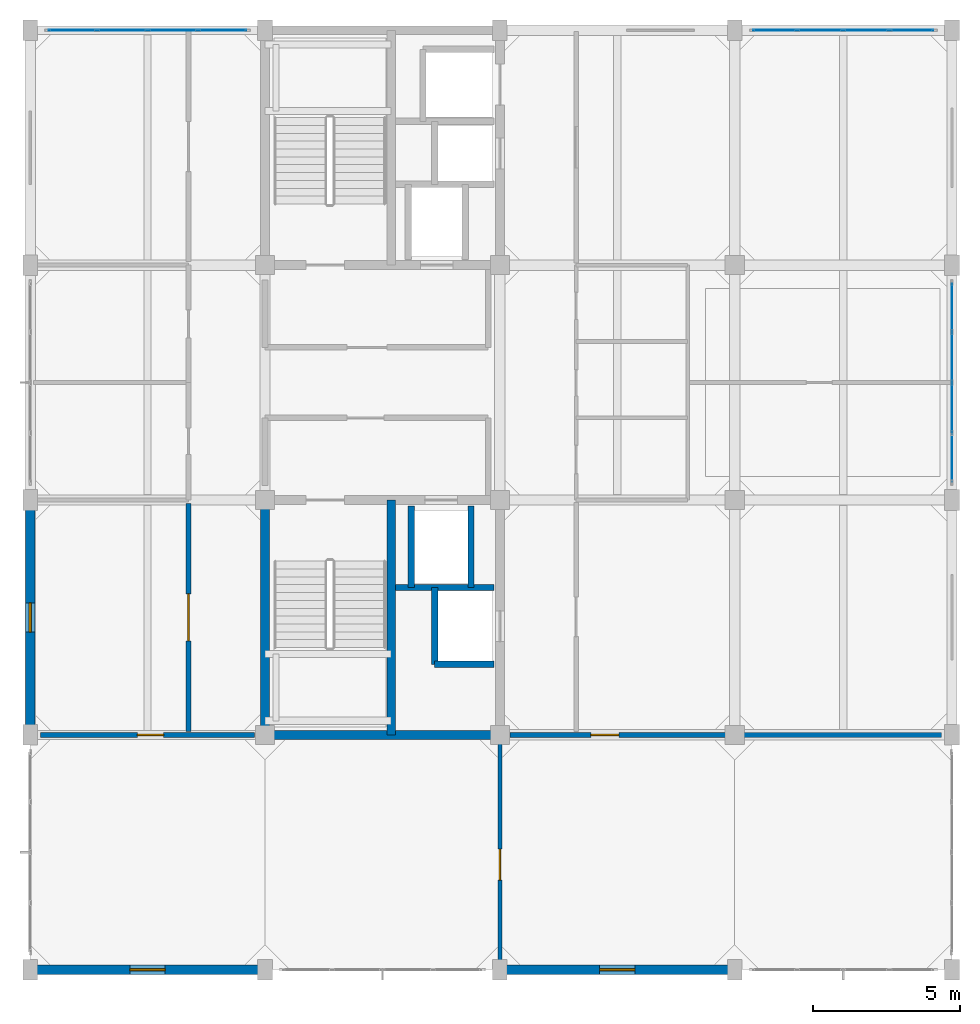
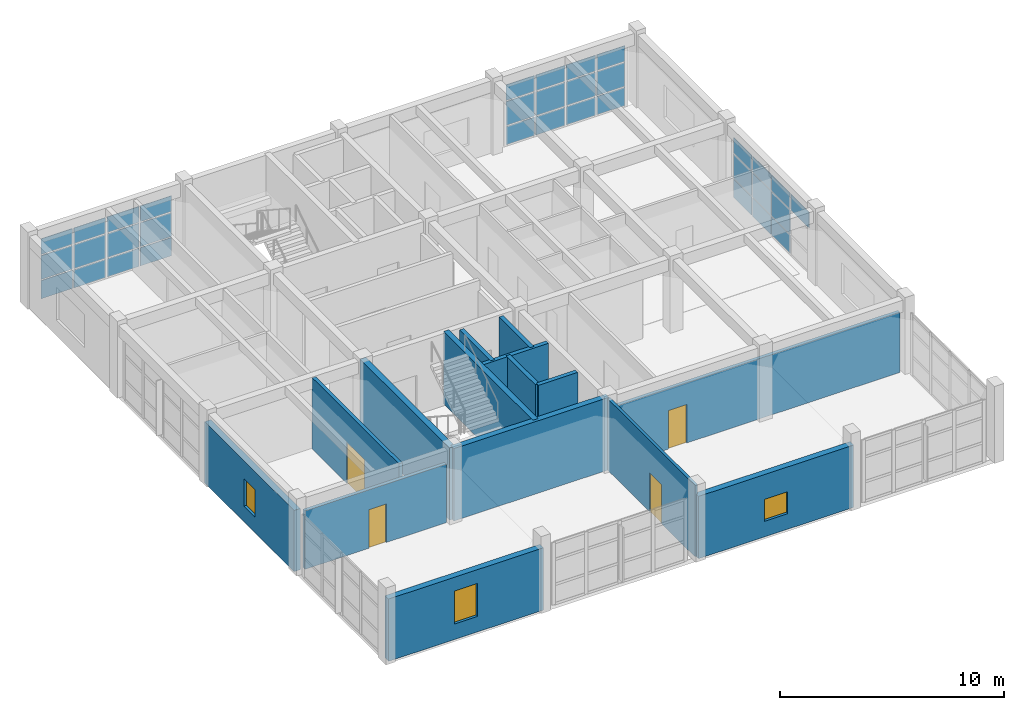
# One storey, part 14 of 18: 34 plates, 15 walls, 4 doors, 3 windows, 7 openings, 3 elements without a shape of their own.
"""IFC4 building model written with IfcOpenShell, lengths in metres."""

from ifc_helpers import new_model, si_unit, direction, frame, frame_2d, origin, origin_2d, place, context, subcontext, project, spatial, rectangle, extrude, material, layer, layer_set, type_object, element, fill, aggregate, save


model = new_model("IFC4")

# Units and contexts
model_context = context("Model", 3, precision=1e-05, world=origin(), true_north=direction((0.0, 1.0)))
body_context = subcontext(model_context, "Body", "Model", "MODEL_VIEW")
ifc_project = project(units=[si_unit("LENGTHUNIT", "METRE"), si_unit("AREAUNIT", "SQUARE_METRE"), si_unit("VOLUMEUNIT", "CUBIC_METRE"), si_unit("PLANEANGLEUNIT", "RADIAN"), si_unit("MASSUNIT", "GRAM", prefix="KILO")], contexts=[model_context])

# Site, building, storey
site_placement = place(None, origin())
site = spatial("IfcSite", under=ifc_project, at=site_placement, CompositionType="ELEMENT")
building_placement = place(site_placement, origin())
building = spatial("IfcBuilding", under=site, at=building_placement, Name="Canggui Botanical Conservatory", CompositionType="ELEMENT")
storey_placement = place(building_placement, frame((0.0, 0.0, 52.800048828125)))
storey = spatial("IfcBuildingStorey", under=building, at=storey_placement, Name="L13", CompositionType="ELEMENT", Elevation=52.800048828125)

# Curtain wall, plates
ifc_material_1 = material(Name="Thermally Broken Aluminium", Category="aluminium")
ifc_layer_1 = layer(ifc_material_1, 0.179931640625, Name="Thermally Broken Aluminium", Category="aluminium")
ifc_layer_set_1 = layer_set([ifc_layer_1], Name="Thermally Broken Aluminium")
curtain_wall_type = type_object("IfcCurtainWallType", Name="CW-UNIT-A", PredefinedType="USERDEFINED", material=ifc_layer_set_1)
curtain_wall_1_placement = place(storey_placement, origin())
curtain_wall_1 = element("IfcCurtainWall", 1, at=curtain_wall_1_placement, inside=storey, type_object=curtain_wall_type, Name="Facade Curtain Wall CW-TWR-L13-09", ObjectType="UNITISED CURTAIN WALL", PredefinedType="USERDEFINED")
ifc_material_2 = material(Name="Low-E Insulated Glass", Category="glass")
ifc_layer_2 = layer(ifc_material_2, 0.02587890625, Name="Low-E Insulated Glass", Category="glass")
ifc_layer_set_2 = layer_set([ifc_layer_2], Name="Low-E Insulated Glass")
plate_type = type_object("IfcPlateType", Name="CWP-01", PredefinedType="CURTAIN_PANEL", material=ifc_layer_set_2)
plate_1_placement = place(storey_placement, frame((147.4375, 66.0, 0.06494140625), z_axis=(0.0, 0.0, 1.0), x_axis=(1.0, 0.0, 0.0)))
plate_1 = element("IfcPlate", 2, at=plate_1_placement, type_object=plate_type, Name="CW-01 panel 1.1", PredefinedType="CURTAIN_PANEL", context=body_context, shape_type="SweptSolid", body=[
    extrude(rectangle(XDim=1.614990234375, YDim=0.02587890625, at=origin_2d()), origin(), (0.0, 0.0, 1.0), 0.990478515625),
])
plate_2_placement = place(storey_placement, frame((147.4375, 66.0, 1.12060546875), z_axis=(0.0, 0.0, 1.0), x_axis=(1.0, 0.0, 0.0)))
plate_2 = element("IfcPlate", 3, at=plate_2_placement, type_object=plate_type, Name="CW-01 panel 1.2", PredefinedType="CURTAIN_PANEL", context=body_context, shape_type="SweptSolid", body=[
    extrude(rectangle(XDim=1.614990234375, YDim=0.02587890625, at=origin_2d()), origin(), (0.0, 0.0, 1.0), 1.294921875),
])
plate_3_placement = place(storey_placement, frame((147.4375, 66.0, 2.48046875), z_axis=(0.0, 0.0, 1.0), x_axis=(1.0, 0.0, 0.0)))
plate_3 = element("IfcPlate", 4, at=plate_3_placement, type_object=plate_type, Name="CW-01 panel 1.3", PredefinedType="CURTAIN_PANEL", context=body_context, shape_type="SweptSolid", body=[
    extrude(rectangle(XDim=1.614990234375, YDim=0.02587890625, at=origin_2d()), origin(), (0.0, 0.0, 1.0), 0.8544921875),
])
plate_4_placement = place(storey_placement, frame((149.139892578125, 66.0, 0.06494140625), z_axis=(0.0, 0.0, 1.0), x_axis=(1.0, 0.0, 0.0)))
plate_4 = element("IfcPlate", 5, at=plate_4_placement, type_object=plate_type, Name="CW-01 panel 2.1", PredefinedType="CURTAIN_PANEL", context=body_context, shape_type="SweptSolid", body=[
    extrude(rectangle(XDim=1.64990234375, YDim=0.02587890625, at=origin_2d()), origin(), (0.0, 0.0, 1.0), 0.990478515625),
])
plate_5_placement = place(storey_placement, frame((149.139892578125, 66.0, 1.12060546875), z_axis=(0.0, 0.0, 1.0), x_axis=(1.0, 0.0, 0.0)))
plate_5 = element("IfcPlate", 6, at=plate_5_placement, type_object=plate_type, Name="CW-01 panel 2.2", PredefinedType="CURTAIN_PANEL", context=body_context, shape_type="SweptSolid", body=[
    extrude(rectangle(XDim=1.64990234375, YDim=0.02587890625, at=origin_2d()), origin(), (0.0, 0.0, 1.0), 1.294921875),
])
plate_6_placement = place(storey_placement, frame((149.139892578125, 66.0, 2.48046875), z_axis=(0.0, 0.0, 1.0), x_axis=(1.0, 0.0, 0.0)))
plate_6 = element("IfcPlate", 7, at=plate_6_placement, type_object=plate_type, Name="CW-01 panel 2.3", PredefinedType="CURTAIN_PANEL", context=body_context, shape_type="SweptSolid", body=[
    extrude(rectangle(XDim=1.64990234375, YDim=0.02587890625, at=origin_2d()), origin(), (0.0, 0.0, 1.0), 0.8544921875),
])
plate_7_placement = place(storey_placement, frame((150.860107421875, 66.0, 0.06494140625), z_axis=(0.0, 0.0, 1.0), x_axis=(1.0, 0.0, 0.0)))
plate_7 = element("IfcPlate", 8, at=plate_7_placement, type_object=plate_type, Name="CW-01 panel 3.1", PredefinedType="CURTAIN_PANEL", context=body_context, shape_type="SweptSolid", body=[
    extrude(rectangle(XDim=1.64990234375, YDim=0.02587890625, at=origin_2d()), origin(), (0.0, 0.0, 1.0), 0.990478515625),
])
plate_8_placement = place(storey_placement, frame((150.860107421875, 66.0, 1.12060546875), z_axis=(0.0, 0.0, 1.0), x_axis=(1.0, 0.0, 0.0)))
plate_8 = element("IfcPlate", 9, at=plate_8_placement, type_object=plate_type, Name="CW-01 panel 3.2", PredefinedType="CURTAIN_PANEL", context=body_context, shape_type="SweptSolid", body=[
    extrude(rectangle(XDim=1.64990234375, YDim=0.02587890625, at=origin_2d()), origin(), (0.0, 0.0, 1.0), 1.294921875),
])
plate_9_placement = place(storey_placement, frame((150.860107421875, 66.0, 2.48046875), z_axis=(0.0, 0.0, 1.0), x_axis=(1.0, 0.0, 0.0)))
plate_9 = element("IfcPlate", 10, at=plate_9_placement, type_object=plate_type, Name="CW-01 panel 3.3", PredefinedType="CURTAIN_PANEL", context=body_context, shape_type="SweptSolid", body=[
    extrude(rectangle(XDim=1.64990234375, YDim=0.02587890625, at=origin_2d()), origin(), (0.0, 0.0, 1.0), 0.8544921875),
])
plate_10_placement = place(storey_placement, frame((152.5625, 66.0, 0.06494140625), z_axis=(0.0, 0.0, 1.0), x_axis=(1.0, 0.0, 0.0)))
plate_10 = element("IfcPlate", 11, at=plate_10_placement, type_object=plate_type, Name="CW-01 panel 4.1", PredefinedType="CURTAIN_PANEL", context=body_context, shape_type="SweptSolid", body=[
    extrude(rectangle(XDim=1.614990234375, YDim=0.02587890625, at=origin_2d()), origin(), (0.0, 0.0, 1.0), 0.990478515625),
])
plate_11_placement = place(storey_placement, frame((152.5625, 66.0, 1.12060546875), z_axis=(0.0, 0.0, 1.0), x_axis=(1.0, 0.0, 0.0)))
plate_11 = element("IfcPlate", 12, at=plate_11_placement, type_object=plate_type, Name="CW-01 panel 4.2", PredefinedType="CURTAIN_PANEL", context=body_context, shape_type="SweptSolid", body=[
    extrude(rectangle(XDim=1.614990234375, YDim=0.02587890625, at=origin_2d()), origin(), (0.0, 0.0, 1.0), 1.294921875),
])
plate_12_placement = place(storey_placement, frame((152.5625, 66.0, 2.48046875), z_axis=(0.0, 0.0, 1.0), x_axis=(1.0, 0.0, 0.0)))
plate_12 = element("IfcPlate", 13, at=plate_12_placement, type_object=plate_type, Name="CW-01 panel 4.3", PredefinedType="CURTAIN_PANEL", context=body_context, shape_type="SweptSolid", body=[
    extrude(rectangle(XDim=1.614990234375, YDim=0.02587890625, at=origin_2d()), origin(), (0.0, 0.0, 1.0), 0.8544921875),
])
aggregate(curtain_wall_1, [plate_1, plate_2, plate_3, plate_4, plate_5, plate_6, plate_7, plate_8, plate_9, plate_10, plate_11, plate_12])

curtain_wall_2_placement = place(storey_placement, origin())
curtain_wall_2 = element("IfcCurtainWall", 14, at=curtain_wall_2_placement, inside=storey, type_object=curtain_wall_type, Name="Facade Curtain Wall CW-TWR-L13-11", ObjectType="UNITISED CURTAIN WALL", PredefinedType="USERDEFINED")
plate_13_placement = place(storey_placement, frame((171.362548828125, 66.0, 0.06494140625), z_axis=(0.0, 0.0, 1.0), x_axis=(1.0, 0.0, 0.0)))
plate_13 = element("IfcPlate", 15, at=plate_13_placement, type_object=plate_type, Name="CW-01 panel 1.1", PredefinedType="CURTAIN_PANEL", context=body_context, shape_type="SweptSolid", body=[
    extrude(rectangle(XDim=1.465087890625, YDim=0.02587890625, at=origin_2d()), origin(), (0.0, 0.0, 1.0), 0.990478515625),
])
plate_14_placement = place(storey_placement, frame((171.362548828125, 66.0, 1.12060546875), z_axis=(0.0, 0.0, 1.0), x_axis=(1.0, 0.0, 0.0)))
plate_14 = element("IfcPlate", 16, at=plate_14_placement, type_object=plate_type, Name="CW-01 panel 1.2", PredefinedType="CURTAIN_PANEL", context=body_context, shape_type="SweptSolid", body=[
    extrude(rectangle(XDim=1.465087890625, YDim=0.02587890625, at=origin_2d()), origin(), (0.0, 0.0, 1.0), 1.294921875),
])
plate_15_placement = place(storey_placement, frame((171.362548828125, 66.0, 2.48046875), z_axis=(0.0, 0.0, 1.0), x_axis=(1.0, 0.0, 0.0)))
plate_15 = element("IfcPlate", 17, at=plate_15_placement, type_object=plate_type, Name="CW-01 panel 1.3", PredefinedType="CURTAIN_PANEL", context=body_context, shape_type="SweptSolid", body=[
    extrude(rectangle(XDim=1.465087890625, YDim=0.02587890625, at=origin_2d()), origin(), (0.0, 0.0, 1.0), 0.8544921875),
])
plate_16_placement = place(storey_placement, frame((172.9150390625, 66.0, 0.06494140625), z_axis=(0.0, 0.0, 1.0), x_axis=(1.0, 0.0, 0.0)))
plate_16 = element("IfcPlate", 18, at=plate_16_placement, type_object=plate_type, Name="CW-01 panel 2.1", PredefinedType="CURTAIN_PANEL", context=body_context, shape_type="SweptSolid", body=[
    extrude(rectangle(XDim=1.5, YDim=0.02587890625, at=origin_2d()), origin(), (0.0, 0.0, 1.0), 0.990478515625),
])
plate_17_placement = place(storey_placement, frame((172.9150390625, 66.0, 1.12060546875), z_axis=(0.0, 0.0, 1.0), x_axis=(1.0, 0.0, 0.0)))
plate_17 = element("IfcPlate", 19, at=plate_17_placement, type_object=plate_type, Name="CW-01 panel 2.2", PredefinedType="CURTAIN_PANEL", context=body_context, shape_type="SweptSolid", body=[
    extrude(rectangle(XDim=1.5, YDim=0.02587890625, at=origin_2d()), origin(), (0.0, 0.0, 1.0), 1.294921875),
])
plate_18_placement = place(storey_placement, frame((172.9150390625, 66.0, 2.48046875), z_axis=(0.0, 0.0, 1.0), x_axis=(1.0, 0.0, 0.0)))
plate_18 = element("IfcPlate", 20, at=plate_18_placement, type_object=plate_type, Name="CW-01 panel 2.3", PredefinedType="CURTAIN_PANEL", context=body_context, shape_type="SweptSolid", body=[
    extrude(rectangle(XDim=1.5, YDim=0.02587890625, at=origin_2d()), origin(), (0.0, 0.0, 1.0), 0.8544921875),
])
plate_19_placement = place(storey_placement, frame((174.485107421875, 66.0, 0.06494140625), z_axis=(0.0, 0.0, 1.0), x_axis=(1.0, 0.0, 0.0)))
plate_19 = element("IfcPlate", 21, at=plate_19_placement, type_object=plate_type, Name="CW-01 panel 3.1", PredefinedType="CURTAIN_PANEL", context=body_context, shape_type="SweptSolid", body=[
    extrude(rectangle(XDim=1.5, YDim=0.02587890625, at=origin_2d()), origin(), (0.0, 0.0, 1.0), 0.990478515625),
])
plate_20_placement = place(storey_placement, frame((174.485107421875, 66.0, 1.12060546875), z_axis=(0.0, 0.0, 1.0), x_axis=(1.0, 0.0, 0.0)))
plate_20 = element("IfcPlate", 22, at=plate_20_placement, type_object=plate_type, Name="CW-01 panel 3.2", PredefinedType="CURTAIN_PANEL", context=body_context, shape_type="SweptSolid", body=[
    extrude(rectangle(XDim=1.5, YDim=0.02587890625, at=origin_2d()), origin(), (0.0, 0.0, 1.0), 1.294921875),
])
plate_21_placement = place(storey_placement, frame((174.485107421875, 66.0, 2.48046875), z_axis=(0.0, 0.0, 1.0), x_axis=(1.0, 0.0, 0.0)))
plate_21 = element("IfcPlate", 23, at=plate_21_placement, type_object=plate_type, Name="CW-01 panel 3.3", PredefinedType="CURTAIN_PANEL", context=body_context, shape_type="SweptSolid", body=[
    extrude(rectangle(XDim=1.5, YDim=0.02587890625, at=origin_2d()), origin(), (0.0, 0.0, 1.0), 0.8544921875),
])
plate_22_placement = place(storey_placement, frame((176.03759765625, 66.0, 0.06494140625), z_axis=(0.0, 0.0, 1.0), x_axis=(1.0, 0.0, 0.0)))
plate_22 = element("IfcPlate", 24, at=plate_22_placement, type_object=plate_type, Name="CW-01 panel 4.1", PredefinedType="CURTAIN_PANEL", context=body_context, shape_type="SweptSolid", body=[
    extrude(rectangle(XDim=1.465087890625, YDim=0.02587890625, at=origin_2d()), origin(), (0.0, 0.0, 1.0), 0.990478515625),
])
plate_23_placement = place(storey_placement, frame((176.03759765625, 66.0, 1.12060546875), z_axis=(0.0, 0.0, 1.0), x_axis=(1.0, 0.0, 0.0)))
plate_23 = element("IfcPlate", 25, at=plate_23_placement, type_object=plate_type, Name="CW-01 panel 4.2", PredefinedType="CURTAIN_PANEL", context=body_context, shape_type="SweptSolid", body=[
    extrude(rectangle(XDim=1.465087890625, YDim=0.02587890625, at=origin_2d()), origin(), (0.0, 0.0, 1.0), 1.294921875),
])
plate_24_placement = place(storey_placement, frame((176.03759765625, 66.0, 2.48046875), z_axis=(0.0, 0.0, 1.0), x_axis=(1.0, 0.0, 0.0)))
plate_24 = element("IfcPlate", 26, at=plate_24_placement, type_object=plate_type, Name="CW-01 panel 4.3", PredefinedType="CURTAIN_PANEL", context=body_context, shape_type="SweptSolid", body=[
    extrude(rectangle(XDim=1.465087890625, YDim=0.02587890625, at=origin_2d()), origin(), (0.0, 0.0, 1.0), 0.8544921875),
])
aggregate(curtain_wall_2, [plate_13, plate_14, plate_15, plate_16, plate_17, plate_18, plate_19, plate_20, plate_21, plate_22, plate_23, plate_24])

curtain_wall_3_placement = place(storey_placement, origin())
curtain_wall_3 = element("IfcCurtainWall", 27, at=curtain_wall_3_placement, inside=storey, type_object=curtain_wall_type, Name="Facade Curtain Wall CW-TWR-L13-13", ObjectType="UNITISED CURTAIN WALL", PredefinedType="USERDEFINED")
plate_25_placement = place(storey_placement, frame((177.39990234375, 56.5625, 0.06494140625), z_axis=(0.0, 0.0, 1.0), x_axis=(0.0, -1.0, 0.0)))
plate_25 = element("IfcPlate", 28, at=plate_25_placement, type_object=plate_type, Name="CW-01 panel 1.1", PredefinedType="CURTAIN_PANEL", context=body_context, shape_type="SweptSolid", body=[
    extrude(rectangle(XDim=1.614990234375, YDim=0.02587890625, at=origin_2d()), origin(), (0.0, 0.0, 1.0), 0.990478515625),
])
plate_26_placement = place(storey_placement, frame((177.39990234375, 56.5625, 1.12060546875), z_axis=(0.0, 0.0, 1.0), x_axis=(0.0, -1.0, 0.0)))
plate_26 = element("IfcPlate", 29, at=plate_26_placement, type_object=plate_type, Name="CW-01 panel 1.2", PredefinedType="CURTAIN_PANEL", context=body_context, shape_type="SweptSolid", body=[
    extrude(rectangle(XDim=1.614990234375, YDim=0.02587890625, at=origin_2d()), origin(), (0.0, 0.0, 1.0), 1.294921875),
])
plate_27_placement = place(storey_placement, frame((177.39990234375, 56.5625, 2.48046875), z_axis=(0.0, 0.0, 1.0), x_axis=(0.0, -1.0, 0.0)))
plate_27 = element("IfcPlate", 30, at=plate_27_placement, type_object=plate_type, Name="CW-01 panel 1.3", PredefinedType="CURTAIN_PANEL", context=body_context, shape_type="SweptSolid", body=[
    extrude(rectangle(XDim=1.614990234375, YDim=0.02587890625, at=origin_2d()), origin(), (0.0, 0.0, 1.0), 0.8544921875),
])
plate_28_placement = place(storey_placement, frame((177.39990234375, 54.860107421875, 0.06494140625), z_axis=(0.0, 0.0, 1.0), x_axis=(0.0, -1.0, 0.0)))
plate_28 = element("IfcPlate", 31, at=plate_28_placement, type_object=plate_type, Name="CW-01 panel 2.1", PredefinedType="CURTAIN_PANEL", context=body_context, shape_type="SweptSolid", body=[
    extrude(rectangle(XDim=1.64990234375, YDim=0.02587890625, at=origin_2d()), origin(), (0.0, 0.0, 1.0), 0.990478515625),
])
plate_29_placement = place(storey_placement, frame((177.39990234375, 54.860107421875, 1.12060546875), z_axis=(0.0, 0.0, 1.0), x_axis=(0.0, -1.0, 0.0)))
plate_29 = element("IfcPlate", 32, at=plate_29_placement, type_object=plate_type, Name="CW-01 panel 2.2", PredefinedType="CURTAIN_PANEL", context=body_context, shape_type="SweptSolid", body=[
    extrude(rectangle(XDim=1.64990234375, YDim=0.02587890625, at=origin_2d()), origin(), (0.0, 0.0, 1.0), 1.294921875),
])
plate_30_placement = place(storey_placement, frame((177.39990234375, 54.860107421875, 2.48046875), z_axis=(0.0, 0.0, 1.0), x_axis=(0.0, -1.0, 0.0)))
plate_30 = element("IfcPlate", 33, at=plate_30_placement, type_object=plate_type, Name="CW-01 panel 2.3", PredefinedType="CURTAIN_PANEL", context=body_context, shape_type="SweptSolid", body=[
    extrude(rectangle(XDim=1.64990234375, YDim=0.02587890625, at=origin_2d()), origin(), (0.0, 0.0, 1.0), 0.8544921875),
])
plate_31_placement = place(storey_placement, frame((177.39990234375, 53.139892578125, 0.06494140625), z_axis=(0.0, 0.0, 1.0), x_axis=(0.0, -1.0, 0.0)))
plate_31 = element("IfcPlate", 34, at=plate_31_placement, type_object=plate_type, Name="CW-01 panel 3.1", PredefinedType="CURTAIN_PANEL", context=body_context, shape_type="SweptSolid", body=[
    extrude(rectangle(XDim=1.64990234375, YDim=0.02587890625, at=origin_2d()), origin(), (0.0, 0.0, 1.0), 0.990478515625),
])
plate_32_placement = place(storey_placement, frame((177.39990234375, 53.139892578125, 1.12060546875), z_axis=(0.0, 0.0, 1.0), x_axis=(0.0, -1.0, 0.0)))
plate_32 = element("IfcPlate", 35, at=plate_32_placement, type_object=plate_type, Name="CW-01 panel 3.2", PredefinedType="CURTAIN_PANEL", context=body_context, shape_type="SweptSolid", body=[
    extrude(rectangle(XDim=1.64990234375, YDim=0.02587890625, at=origin_2d()), origin(), (0.0, 0.0, 1.0), 1.294921875),
])
plate_33_placement = place(storey_placement, frame((177.39990234375, 53.139892578125, 2.48046875), z_axis=(0.0, 0.0, 1.0), x_axis=(0.0, -1.0, 0.0)))
plate_33 = element("IfcPlate", 36, at=plate_33_placement, type_object=plate_type, Name="CW-01 panel 3.3", PredefinedType="CURTAIN_PANEL", context=body_context, shape_type="SweptSolid", body=[
    extrude(rectangle(XDim=1.64990234375, YDim=0.02587890625, at=origin_2d()), origin(), (0.0, 0.0, 1.0), 0.8544921875),
])
plate_34_placement = place(storey_placement, frame((177.39990234375, 51.4375, 2.48046875), z_axis=(0.0, 0.0, 1.0), x_axis=(0.0, -1.0, 0.0)))
plate_34 = element("IfcPlate", 37, at=plate_34_placement, type_object=plate_type, Name="CW-01 panel 4.3", PredefinedType="CURTAIN_PANEL", context=body_context, shape_type="SweptSolid", body=[
    extrude(rectangle(XDim=1.614990234375, YDim=0.02587890625, at=origin_2d()), origin(), (0.0, 0.0, 1.0), 0.8544921875),
])
aggregate(curtain_wall_3, [plate_25, plate_26, plate_27, plate_28, plate_29, plate_30, plate_31, plate_32, plate_33, plate_34])

# Wall, opening, window
ifc_material_3 = material(Name="Precast Concrete C40", Category="concrete")
ifc_layer_3 = layer(ifc_material_3, 0.320068359375, Name="Precast Concrete C40", Category="concrete")
ifc_layer_set_3 = layer_set([ifc_layer_3], Name="Precast Concrete C40")
wall_type_1 = type_object("IfcWallType", Name="EW-320", PredefinedType="STANDARD", material=ifc_layer_set_3)
wall_1_placement = place(storey_placement, frame((170.0, 34.0, 0.0), z_axis=(0.0, 0.0, 1.0), x_axis=(-1.0, 0.0, 0.0)))
wall_1 = element("IfcWall", 38, at=wall_1_placement, inside=storey, type_object=wall_type_1, Name="Tower Insulated Exterior Wall L13-S2", PredefinedType="STANDARD", context=body_context, shape_type="SweptSolid", body=[
    extrude(rectangle(XDim=8.0, YDim=0.320068359375, at=frame_2d((4.0, 0.0))), origin(), (0.0, 0.0, 1.0), 3.39990234375),
])
opening_1_placement = place(wall_1_placement, frame((3.39990234375, 0.0, 0.85009765625)))
opening_1 = element("IfcOpeningElement", 39, at=opening_1_placement, cuts=wall_1, Name="Opening W-06", PredefinedType="OPENING", context=body_context, shape_type="SweptSolid", body=[
    extrude(rectangle(XDim=1.199951171875, YDim=1.199951171875, at=frame_2d((0.60009765625, 0.60009765625))), frame((0.0, 0.169921875, 0.0), z_axis=(0.0, -1.0, 0.0), x_axis=(1.0, 0.0, 0.0)), (0.0, 0.0, 1.0), 0.340087890625),
])
window_type_1 = type_object("IfcWindowType", Name="WIN-06", PartitioningType="SINGLE_PANEL", PredefinedType="WINDOW", material=ifc_material_2)
window_1_placement = place(opening_1_placement, origin())
window_1 = element("IfcWindow", 40, at=window_1_placement, inside=storey, type_object=window_type_1, Name="Tower Firefighter Rescue Window L13-2", OverallHeight=1.199951171875, OverallWidth=1.199951171875, PartitioningType="SINGLE_PANEL", PredefinedType="WINDOW", context=body_context, shape_type="SweptSolid", body=[
    extrude(rectangle(XDim=1.199951171875, YDim=1.199951171875, at=frame_2d((0.60009765625, 0.60009765625))), frame((0.0, 0.030029296875, 0.0), z_axis=(0.0, -1.0, 0.0), x_axis=(1.0, 0.0, 0.0)), (0.0, 0.0, 1.0), 0.06005859375),
])
fill(opening_1, window_1)

wall_2_placement = place(storey_placement, frame((154.0, 34.0, 0.0), z_axis=(0.0, 0.0, 1.0), x_axis=(-1.0, 0.0, 0.0)))
wall_2 = element("IfcWall", 41, at=wall_2_placement, inside=storey, type_object=wall_type_1, Name="Tower Insulated Exterior Wall L13-S4", PredefinedType="STANDARD", context=body_context, shape_type="SweptSolid", body=[
    extrude(rectangle(XDim=8.0, YDim=0.320068359375, at=frame_2d((4.0, 0.0))), origin(), (0.0, 0.0, 1.0), 3.39990234375),
])
opening_2_placement = place(wall_2_placement, frame((3.39990234375, 0.0, 0.85009765625)))
opening_2 = element("IfcOpeningElement", 42, at=opening_2_placement, cuts=wall_2, Name="Opening W-15", PredefinedType="OPENING", context=body_context, shape_type="SweptSolid", body=[
    extrude(rectangle(XDim=1.199951171875, YDim=1.800048828125, at=frame_2d((0.60009765625, 0.89990234375))), frame((0.0, 0.169921875, 0.0), z_axis=(0.0, -1.0, 0.0), x_axis=(1.0, 0.0, 0.0)), (0.0, 0.0, 1.0), 0.340087890625),
])
window_type_2 = type_object("IfcWindowType", Name="WIN-15", PartitioningType="SINGLE_PANEL", PredefinedType="WINDOW", material=ifc_material_2)
window_2_placement = place(opening_2_placement, origin())
window_2 = element("IfcWindow", 43, at=window_2_placement, inside=storey, type_object=window_type_2, Name="Tower Window L13-4", OverallHeight=1.800048828125, OverallWidth=1.199951171875, PartitioningType="SINGLE_PANEL", PredefinedType="WINDOW", context=body_context, shape_type="SweptSolid", body=[
    extrude(rectangle(XDim=1.199951171875, YDim=1.800048828125, at=frame_2d((0.60009765625, 0.89990234375))), frame((0.0, 0.030029296875, 0.0), z_axis=(0.0, -1.0, 0.0), x_axis=(1.0, 0.0, 0.0)), (0.0, 0.0, 1.0), 0.06005859375),
])
fill(opening_2, window_2)

wall_3_placement = place(storey_placement, frame((146.0, 42.0, 0.0), z_axis=(0.0, 0.0, 1.0), x_axis=(0.0, 1.0, 0.0)))
wall_3 = element("IfcWall", 44, at=wall_3_placement, inside=storey, type_object=wall_type_1, Name="Tower Insulated Exterior Wall L13-W6", PredefinedType="STANDARD", context=body_context, shape_type="SweptSolid", body=[
    extrude(rectangle(XDim=8.0, YDim=0.320068359375, at=frame_2d((4.0, 0.0))), origin(), (0.0, 0.0, 1.0), 3.33984375),
])
opening_3_placement = place(wall_3_placement, frame((3.5, 0.0, 0.85009765625)))
opening_3 = element("IfcOpeningElement", 45, at=opening_3_placement, cuts=wall_3, Name="Opening W-16", PredefinedType="OPENING", context=body_context, shape_type="SweptSolid", body=[
    extrude(rectangle(XDim=1.0, YDim=1.5, at=frame_2d((0.5, 0.75))), frame((0.0, 0.169921875, 0.0), z_axis=(0.0, -1.0, 0.0), x_axis=(1.0, 0.0, 0.0)), (0.0, 0.0, 1.0), 0.340087890625),
])
window_type_3 = type_object("IfcWindowType", Name="WIN-16", PartitioningType="SINGLE_PANEL", PredefinedType="WINDOW", material=ifc_material_2)
window_3_placement = place(opening_3_placement, origin())
window_3 = element("IfcWindow", 46, at=window_3_placement, inside=storey, type_object=window_type_3, Name="Tower Window L13-6", OverallHeight=1.5, OverallWidth=1.0, PartitioningType="SINGLE_PANEL", PredefinedType="WINDOW", context=body_context, shape_type="SweptSolid", body=[
    extrude(rectangle(XDim=1.0, YDim=1.5, at=frame_2d((0.5, 0.75))), frame((0.0, 0.030029296875, 0.0), z_axis=(0.0, -1.0, 0.0), x_axis=(1.0, 0.0, 0.0)), (0.0, 0.0, 1.0), 0.06005859375),
])
fill(opening_3, window_3)

# Wall, opening, door
ifc_material_4 = material(Name="Gypsum Plasterboard Partition")
ifc_layer_4 = layer(ifc_material_4, 0.175048828125, Name="Gypsum Plasterboard Partition")
ifc_layer_set_4 = layer_set([ifc_layer_4], Name="Gypsum Plasterboard Partition")
wall_type_2 = type_object("IfcWallType", Name="IW-CORR-175", PredefinedType="STANDARD", material=ifc_layer_set_4)
wall_4_placement = place(storey_placement, frame((151.39990234375, 42.1201171875, 0.0), z_axis=(0.0, 0.0, 1.0), x_axis=(0.0, 1.0, 0.0)))
wall_4 = element("IfcWall", 47, at=wall_4_placement, inside=storey, type_object=wall_type_2, Name="L13 Pathology Decontamination Prep Corridor Wall", PredefinedType="STANDARD", context=body_context, shape_type="SweptSolid", body=[
    extrude(rectangle(XDim=7.759765625, YDim=0.175048828125, at=frame_2d((3.8798828125, 0.0))), origin(), (0.0, 0.0, 1.0), 3.89990234375),
])
opening_4_placement = place(wall_4_placement, frame((3.080078125, 0.0, 0.0)))
opening_4 = element("IfcOpeningElement", 48, at=opening_4_placement, cuts=wall_4, Name="Opening FD-15", PredefinedType="OPENING", context=body_context, shape_type="SweptSolid", body=[
    extrude(rectangle(XDim=1.60009765625, YDim=2.25, at=frame_2d((0.800048828125, 1.125))), frame((0.0, 0.09765625, 0.0), z_axis=(0.0, -1.0, 0.0), x_axis=(1.0, 0.0, 0.0)), (0.0, 0.0, 1.0), 0.195068359375),
])
ifc_material_5 = material(Name="Powder-Coated Steel", Category="steel")
door_type_1 = type_object("IfcDoorType", Name="FD-15", OperationType="NOTDEFINED", PredefinedType="DOOR", material=ifc_material_5)
door_1_placement = place(opening_4_placement, origin())
door_1 = element("IfcDoor", 49, at=door_1_placement, inside=storey, type_object=door_type_1, Name="L13 Pathology Decontamination Prep Entrance Door", OperationType="DOUBLE_DOOR_SINGLE_SWING", OverallHeight=2.25, OverallWidth=1.60009765625, PredefinedType="DOOR", context=body_context, shape_type="SweptSolid", body=[
    extrude(rectangle(XDim=1.60009765625, YDim=2.25, at=frame_2d((0.800048828125, 1.125))), frame((0.0, 0.02490234375, 0.0), z_axis=(0.0, -1.0, 0.0), x_axis=(1.0, 0.0, 0.0)), (0.0, 0.0, 1.0), 0.050048828125),
])
fill(opening_4, door_1)

wall_5_placement = place(storey_placement, frame((146.35009765625, 42.0, 0.0), z_axis=(0.0, 0.0, 1.0), x_axis=(1.0, 0.0, 0.0)))
wall_5 = element("IfcWall", 50, at=wall_5_placement, inside=storey, type_object=wall_type_2, Name="L13 Plant Pathology Containment Laboratory South Suite Wall", PredefinedType="STANDARD", context=body_context, shape_type="SweptSolid", body=[
    extrude(rectangle(XDim=7.2998046875, YDim=0.175048828125, at=frame_2d((3.64990234375, 0.0))), origin(), (0.0, 0.0, 1.0), 3.18994140625),
])
opening_5_placement = place(wall_5_placement, frame((3.300048828125, 0.0, 0.0)))
opening_5 = element("IfcOpeningElement", 51, at=opening_5_placement, cuts=wall_5, Name="Opening FD-01", PredefinedType="OPENING", context=body_context, shape_type="SweptSolid", body=[
    extrude(rectangle(XDim=0.89990234375, YDim=2.10009765625, at=frame_2d((0.449951171875, 1.050048828125))), frame((0.0, 0.09765625, 0.0), z_axis=(0.0, -1.0, 0.0), x_axis=(1.0, 0.0, 0.0)), (0.0, 0.0, 1.0), 0.195068359375),
])
door_type_2 = type_object("IfcDoorType", Name="FD-01", OperationType="NOTDEFINED", PredefinedType="DOOR", material=ifc_material_5)
door_2_placement = place(opening_5_placement, origin())
door_2 = element("IfcDoor", 52, at=door_2_placement, inside=storey, type_object=door_type_2, Name="Interior Door IW-L13-SCOR-1", OperationType="SINGLE_SWING_LEFT", OverallHeight=2.10009765625, OverallWidth=0.89990234375, PredefinedType="DOOR", context=body_context, shape_type="SweptSolid", body=[
    extrude(rectangle(XDim=0.89990234375, YDim=2.10009765625, at=frame_2d((0.449951171875, 1.050048828125))), frame((0.0, 0.02490234375, 0.0), z_axis=(0.0, -1.0, 0.0), x_axis=(1.0, 0.0, 0.0)), (0.0, 0.0, 1.0), 0.050048828125),
])
fill(opening_5, door_2)

wall_6_placement = place(storey_placement, frame((162.35009765625, 42.0, 0.0), z_axis=(0.0, 0.0, 1.0), x_axis=(1.0, 0.0, 0.0)))
wall_6 = element("IfcWall", 53, at=wall_6_placement, inside=storey, type_object=wall_type_2, Name="L13 Quarantine Diagnostics Room South Suite Wall", PredefinedType="STANDARD", context=body_context, shape_type="SweptSolid", body=[
    extrude(rectangle(XDim=14.699951171875, YDim=0.175048828125, at=frame_2d((7.35009765625, 0.0))), origin(), (0.0, 0.0, 1.0), 3.2900390625),
])
opening_6_placement = place(wall_6_placement, frame((2.75, 0.0, 0.0)))
opening_6 = element("IfcOpeningElement", 54, at=opening_6_placement, cuts=wall_6, Name="Opening FD-02", PredefinedType="OPENING", context=body_context, shape_type="SweptSolid", body=[
    extrude(rectangle(XDim=0.949951171875, YDim=2.10009765625, at=frame_2d((0.47509765625, 1.050048828125))), frame((0.0, 0.09765625, 0.0), z_axis=(0.0, -1.0, 0.0), x_axis=(1.0, 0.0, 0.0)), (0.0, 0.0, 1.0), 0.195068359375),
])
door_type_3 = type_object("IfcDoorType", Name="FD-02", OperationType="NOTDEFINED", PredefinedType="DOOR", material=ifc_material_5)
door_3_placement = place(opening_6_placement, origin())
door_3 = element("IfcDoor", 55, at=door_3_placement, inside=storey, type_object=door_type_3, Name="Interior Door IW-L13-SCOR-2", OperationType="SINGLE_SWING_LEFT", OverallHeight=2.10009765625, OverallWidth=0.949951171875, PredefinedType="DOOR", context=body_context, shape_type="SweptSolid", body=[
    extrude(rectangle(XDim=0.949951171875, YDim=2.10009765625, at=frame_2d((0.47509765625, 1.050048828125))), frame((0.0, 0.02490234375, 0.0), z_axis=(0.0, -1.0, 0.0), x_axis=(1.0, 0.0, 0.0)), (0.0, 0.0, 1.0), 0.050048828125),
])
fill(opening_6, door_3)

ifc_layer_5 = layer(ifc_material_4, 0.139892578125, Name="Gypsum Plasterboard Partition")
ifc_layer_set_5 = layer_set([ifc_layer_5], Name="Gypsum Plasterboard Partition")
wall_type_3 = type_object("IfcWallType", Name="IW-PART-140", PredefinedType="STANDARD", material=ifc_layer_set_5)
wall_7_placement = place(storey_placement, frame((162.0, 34.050048828125, 0.0), z_axis=(0.0, 0.0, 1.0), x_axis=(0.0, 1.0, 0.0)))
wall_7 = element("IfcWall", 56, at=wall_7_placement, inside=storey, type_object=wall_type_3, Name="L13 Plant Pathology Containment Laboratory South Cross Wall", PredefinedType="STANDARD", context=body_context, shape_type="SweptSolid", body=[
    extrude(rectangle(XDim=7.829833984375, YDim=0.139892578125, at=frame_2d((3.9150390625, 0.0))), origin(), (0.0, 0.0, 1.0), 3.89990234375),
])
opening_7_placement = place(wall_7_placement, frame((3.0, 0.0, 0.0)))
opening_7 = element("IfcOpeningElement", 57, at=opening_7_placement, cuts=wall_7, Name="Opening ID-05", PredefinedType="OPENING", context=body_context, shape_type="SweptSolid", body=[
    extrude(rectangle(XDim=1.06005859375, YDim=2.1201171875, at=frame_2d((0.530029296875, 1.06005859375))), frame((0.0, 0.080078125, 0.0), z_axis=(0.0, -1.0, 0.0), x_axis=(1.0, 0.0, 0.0)), (0.0, 0.0, 1.0), 0.159912109375),
])
ifc_material_6 = material(Name="Engineered Timber Veneer", Category="wood")
door_type_4 = type_object("IfcDoorType", Name="ID-05", OperationType="NOTDEFINED", PredefinedType="DOOR", material=ifc_material_6)
door_4_placement = place(opening_7_placement, origin())
door_4 = element("IfcDoor", 58, at=door_4_placement, inside=storey, type_object=door_type_4, Name="Interior Door IW-L13-SDIV-1", OperationType="SINGLE_SWING_RIGHT", OverallHeight=2.1201171875, OverallWidth=1.06005859375, PredefinedType="DOOR", context=body_context, shape_type="SweptSolid", body=[
    extrude(rectangle(XDim=1.06005859375, YDim=2.1201171875, at=frame_2d((0.530029296875, 1.06005859375))), frame((0.0, 0.02490234375, 0.0), z_axis=(0.0, -1.0, 0.0), x_axis=(1.0, 0.0, 0.0)), (0.0, 0.0, 1.0), 0.050048828125),
])
fill(opening_7, door_4)

# Walls
ifc_material_7 = material(Name="Concrete C35", Category="concrete")
ifc_layer_6 = layer(ifc_material_7, 0.215087890625, Name="Concrete C35", Category="concrete")
ifc_layer_set_6 = layer_set([ifc_layer_6], Name="Concrete C35")
wall_type_4 = type_object("IfcWallType", Name="IW-SHAFT-215", PredefinedType="STANDARD", material=ifc_layer_set_6)
wall_8_placement = place(storey_placement, frame((158.449951171875, 47.02001953125, 0.0), z_axis=(0.0, 0.0, 1.0), x_axis=(1.0, 0.0, 0.0)))
element("IfcWall", 59, at=wall_8_placement, inside=storey, type_object=wall_type_4, Name="Core T1 Lift Shaft Divider L13", PredefinedType="STANDARD", context=body_context, shape_type="SweptSolid", body=[
    extrude(rectangle(XDim=3.35009765625, YDim=0.215087890625, at=frame_2d((1.675048828125, 0.0))), origin(), (0.0, 0.0, 1.0), 3.89990234375),
])
for number, where, z_axis, x_axis, name in (
    (60, (158.97998046875, 47.02001953125, 0.0), (0.0, 0.0, 1.0), (0.0, 1.0, 0.0), "Core T1 FL-01 West Shaft Wall L13"),
    (61, (161.02001953125, 47.02001953125, 0.0), (0.0, 0.0, 1.0), (0.0, 1.0, 0.0), "Core T1 FL-01 East Shaft Wall L13"),
):
    element("IfcWall", number, at=place(storey_placement, frame(where, z_axis=z_axis, x_axis=x_axis)), inside=storey, type_object=wall_type_4, Name=name, PredefinedType="STANDARD", context=body_context, shape_type="SweptSolid", body=[
        extrude(rectangle(XDim=2.780029296875, YDim=0.215087890625, at=frame_2d((1.39013671875, 0.0))), origin(), (0.0, 0.0, 1.0), 3.89990234375),
    ])
wall_9_placement = place(storey_placement, frame((159.780029296875, 44.39990234375, 0.0), z_axis=(0.0, 0.0, 1.0), x_axis=(0.0, 1.0, 0.0)))
element("IfcWall", 62, at=wall_9_placement, inside=storey, type_object=wall_type_4, Name="Core T1 PL-01 West Shaft Wall L13", PredefinedType="STANDARD", context=body_context, shape_type="SweptSolid", body=[
    extrude(rectangle(XDim=2.6201171875, YDim=0.215087890625, at=frame_2d((1.31005859375, 0.0))), origin(), (0.0, 0.0, 1.0), 3.89990234375),
])
wall_10_placement = place(storey_placement, frame((159.780029296875, 44.39990234375, 0.0), z_axis=(0.0, 0.0, 1.0), x_axis=(1.0, 0.0, 0.0)))
element("IfcWall", 63, at=wall_10_placement, inside=storey, type_object=wall_type_4, Name="Core T1 PL-01 South Shaft Wall L13", PredefinedType="STANDARD", context=body_context, shape_type="SweptSolid", body=[
    extrude(rectangle(XDim=2.02001953125, YDim=0.215087890625, at=frame_2d((1.010009765625, 0.0))), origin(), (0.0, 0.0, 1.0), 3.89990234375),
])
ifc_layer_7 = layer(ifc_material_7, 0.280029296875, Name="Concrete C35", Category="concrete")
ifc_layer_set_7 = layer_set([ifc_layer_7], Name="Concrete C35")
wall_type_5 = type_object("IfcWallType", Name="WALL-SH-280-C35", PredefinedType="SHEAR", material=ifc_layer_set_7)
wall_11_placement = place(storey_placement, frame((158.300048828125, 42.0, 0.0), z_axis=(0.0, 0.0, 1.0), x_axis=(0.0, 1.0, 0.0)))
element("IfcWall", 64, at=wall_11_placement, inside=storey, type_object=wall_type_5, Name="Core T1 Internal Shear Web L13", PredefinedType="SHEAR", context=body_context, shape_type="SweptSolid", body=[
    extrude(rectangle(XDim=8.0, YDim=0.280029296875, at=frame_2d((4.0, 0.0))), origin(), (0.0, 0.0, 1.0), 3.949951171875),
])
ifc_layer_8 = layer(ifc_material_7, 0.300048828125, Name="Concrete C35", Category="concrete")
ifc_layer_set_8 = layer_set([ifc_layer_8], Name="Concrete C35")
wall_type_6 = type_object("IfcWallType", Name="WALL-SH-300-C35", PredefinedType="SHEAR", material=ifc_layer_set_8)
for number, where, z_axis, x_axis, name in (
    (65, (154.0, 42.0, 0.0), (0.0, 0.0, 1.0), (1.0, 0.0, 0.0), "Core T1 Shear Wall L13-S"),
    (66, (154.0, 50.0, 0.0), (0.0, 0.0, 1.0), (0.0, -1.0, 0.0), "Core T1 Shear Wall L13-W"),
):
    element("IfcWall", number, at=place(storey_placement, frame(where, z_axis=z_axis, x_axis=x_axis)), inside=storey, type_object=wall_type_6, Name=name, PredefinedType="SHEAR", context=body_context, shape_type="SweptSolid", body=[
        extrude(rectangle(XDim=8.0, YDim=0.300048828125, at=frame_2d((4.0, 0.0))), origin(), (0.0, 0.0, 1.0), 3.949951171875),
    ])

save(model, "model.ifc")
